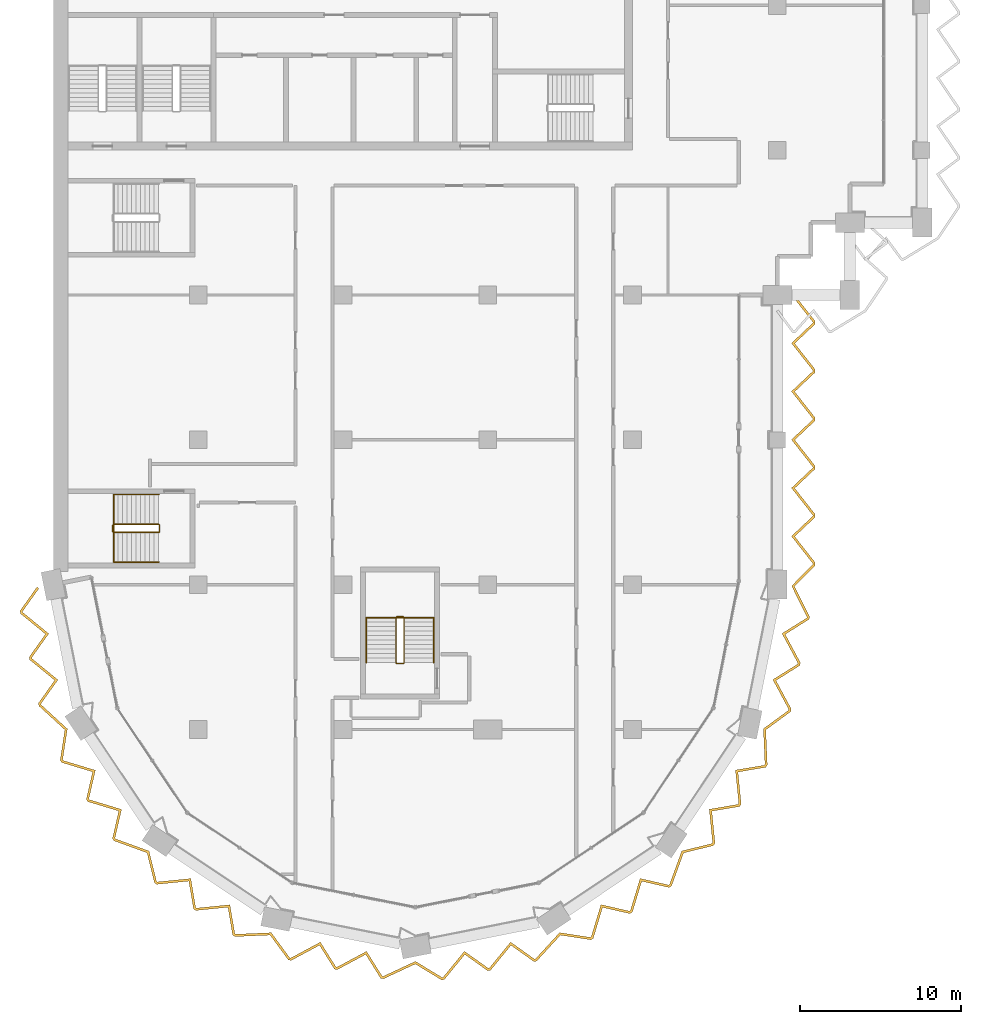
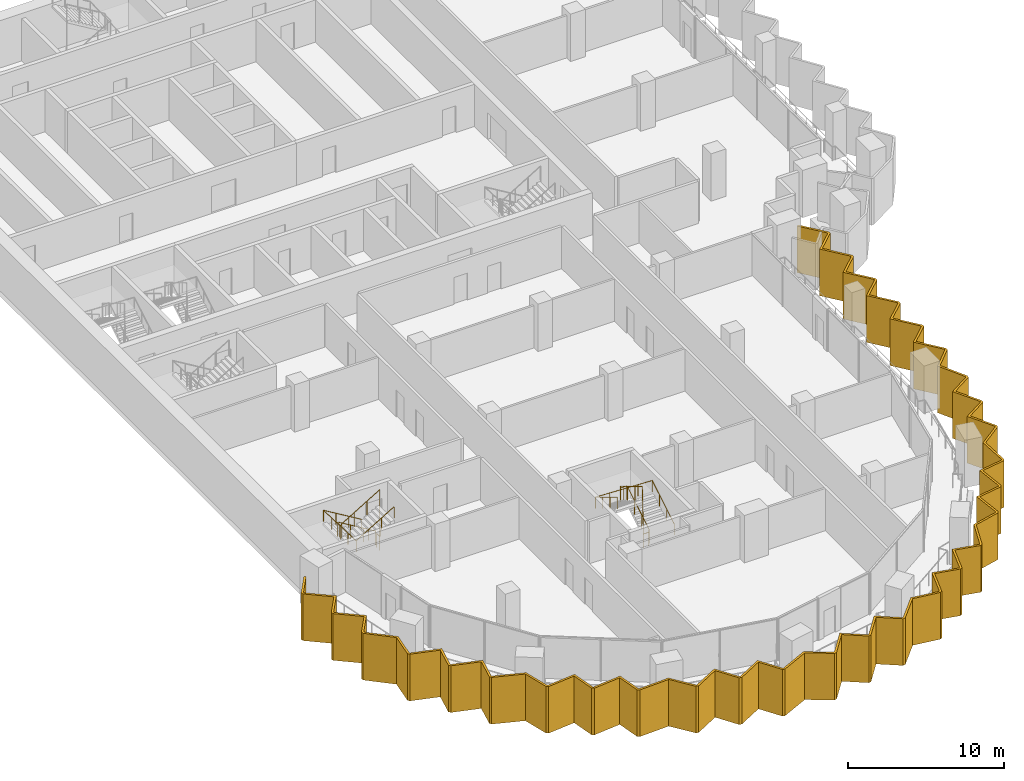
# One storey, part 14 of 17: 4 railings, 1 shading device.
"""IFC4 building model written with IfcOpenShell, lengths in metres."""

from ifc_helpers import new_model, si_unit, direction, frame, origin, origin_2d, place, context, subcontext, project, spatial, polyline, circle, outline, extrude, material, layer, layer_set, type_object, element, save


model = new_model("IFC4")

# Units and contexts
model_context = context("Model", 3, precision=1e-05, world=origin(), true_north=direction((0.0, 1.0)))
body_context = subcontext(model_context, "Body", "Model", "MODEL_VIEW")
ifc_project = project(units=[si_unit("LENGTHUNIT", "METRE"), si_unit("AREAUNIT", "SQUARE_METRE"), si_unit("VOLUMEUNIT", "CUBIC_METRE"), si_unit("PLANEANGLEUNIT", "RADIAN"), si_unit("MASSUNIT", "GRAM", prefix="KILO")], contexts=[model_context])

# Site, building, storey
site_placement = place(None, origin())
site = spatial("IfcSite", under=ifc_project, at=site_placement, CompositionType="ELEMENT")
building_placement = place(site_placement, origin())
building = spatial("IfcBuilding", under=site, at=building_placement, Name="Hunhe Ridgeline Campus", CompositionType="ELEMENT")
storey_placement = place(building_placement, frame((0.0, 0.0, 190.199951171875)))
storey = spatial("IfcBuildingStorey", under=building, at=storey_placement, Name="L48", CompositionType="ELEMENT", Elevation=190.199951171875)

# Shading device
ifc_material_1 = material(Name="Concrete C50", Category="concrete")
ifc_layer = layer(ifc_material_1, 0.14990234375)
ifc_layer_set = layer_set([ifc_layer], Name="Sawtooth concrete fin 150 Concrete C50")
shading_device_type = type_object("IfcShadingDeviceType", Name="Sawtooth concrete fin 150 Concrete C50", PredefinedType="USERDEFINED", material=ifc_layer_set)
shading_device_placement = place(storey_placement, frame((0.0, 0.0, -0.949951171875)))
element("IfcShadingDevice", 1, at=shading_device_placement, inside=storey, type_object=shading_device_type, Name="Concrete fin screen 1", ObjectType="FIN", PredefinedType="USERDEFINED", context=body_context, shape_type="SweptSolid", body=[
    extrude(outline(polyline([(-0.895263671875, 35.766357421875), (-1.017333984375, 35.853271484375), (-2.072021484375, 34.37060546875), (-2.036865234375, 34.19482421875), (-0.487060546875, 32.926025390625), (-1.5009765625, 31.50048828125), (-1.466064453125, 31.32470703125), (0.083740234375, 30.055908203125), (-0.93017578125, 28.63037109375), (-0.895751953125, 28.45703125), (0.714111328125, 26.98095703125), (0.423828125, 25.0888671875), (0.521484375, 24.9423828125), (2.43896484375, 24.36328125), (2.0478515625, 22.658203125), (2.1474609375, 22.50927734375), (4.06494140625, 21.93017578125), (3.673583984375, 20.22509765625), (3.771728515625, 20.078125), (5.823974609375, 19.330322265625), (6.27978515625, 17.47119140625), (6.426025390625, 17.373291015625), (8.419189453125, 17.572021484375), (8.710205078125, 15.84716796875), (8.859375, 15.74755859375), (10.8525390625, 15.9462890625), (11.1435546875, 14.221435546875), (11.29052734375, 14.123046875), (13.472412109375, 14.217529296875), (14.605224609375, 12.67431640625), (14.77783203125, 12.639892578125), (16.543212890625, 13.58642578125), (17.47216796875, 12.10400390625), (17.64794921875, 12.069091796875), (19.413330078125, 13.015380859375), (20.34228515625, 11.533203125), (20.515625, 11.49853515625), (22.495361328125, 12.4208984375), (24.132568359375, 11.4287109375), (24.30517578125, 11.463134765625), (25.573974609375, 13.012939453125), (26.99951171875, 11.9990234375), (27.17529296875, 12.033935546875), (28.444091796875, 13.583740234375), (29.86962890625, 12.56982421875), (30.04296875, 12.604248046875), (31.51904296875, 14.214111328125), (33.4111328125, 13.923828125), (33.5576171875, 14.021484375), (34.13671875, 15.93896484375), (35.841796875, 15.5478515625), (35.99072265625, 15.6474609375), (36.56982421875, 17.56494140625), (38.27490234375, 17.173583984375), (38.421875, 17.271728515625), (39.169677734375, 19.323974609375), (41.02880859375, 19.77978515625), (41.126708984375, 19.926025390625), (40.927978515625, 21.919189453125), (42.65283203125, 22.210205078125), (42.75244140625, 22.359375), (42.5537109375, 24.3525390625), (44.278564453125, 24.6435546875), (44.376953125, 24.79052734375), (44.282470703125, 26.972412109375), (45.82568359375, 28.105224609375), (45.860107421875, 28.27783203125), (44.91357421875, 30.043212890625), (46.39599609375, 30.97216796875), (46.430908203125, 31.14794921875), (45.484619140625, 32.913330078125), (46.966796875, 33.84228515625), (47.00146484375, 34.016845703125), (46.06591796875, 35.8896484375), (47.35009765625, 37.1953125), (47.35009765625, 37.3720703125), (46.076416015625, 38.992431640625), (47.35009765625, 40.19384765625), (47.35009765625, 40.3720703125), (46.076416015625, 41.992431640625), (47.35009765625, 43.19384765625), (47.35009765625, 43.3720703125), (46.076416015625, 44.992431640625), (47.35009765625, 46.19384765625), (47.35009765625, 46.3720703125), (46.076416015625, 47.992431640625), (47.35009765625, 49.19384765625), (47.35009765625, 49.3720703125), (46.076416015625, 50.992431640625), (47.35009765625, 52.19384765625), (47.35009765625, 52.3720703125), (46.033935546875, 54.04638671875), (45.916015625, 53.95361328125), (47.199951171875, 52.320068359375), (47.199951171875, 52.258544921875), (45.873779296875, 51.007568359375), (47.199951171875, 49.320068359375), (47.199951171875, 49.258544921875), (45.873779296875, 48.007568359375), (47.199951171875, 46.320068359375), (47.199951171875, 46.258544921875), (45.873779296875, 45.007568359375), (47.199951171875, 43.320068359375), (47.199951171875, 43.258544921875), (45.873779296875, 42.007568359375), (47.199951171875, 40.320068359375), (47.199951171875, 40.258544921875), (45.873779296875, 39.007568359375), (47.199951171875, 37.320068359375), (47.199951171875, 37.2568359375), (45.884033203125, 35.91845703125), (46.844482421875, 33.995849609375), (46.832275390625, 33.93505859375), (45.2861328125, 32.966064453125), (46.273193359375, 31.12451171875), (46.261474609375, 31.06494140625), (44.71533203125, 30.095947265625), (45.702392578125, 28.25439453125), (45.68994140625, 28.191650390625), (44.129150390625, 27.0458984375), (44.224853515625, 24.8330078125), (44.18994140625, 24.780517578125), (42.390625, 24.47705078125), (42.597900390625, 22.39794921875), (42.564208984375, 22.347412109375), (40.764892578125, 22.0439453125), (40.97216796875, 19.96484375), (40.9365234375, 19.91162109375), (39.05615234375, 19.450439453125), (38.2978515625, 17.369384765625), (38.245361328125, 17.334228515625), (36.466796875, 17.742431640625), (35.86279296875, 15.7421875), (35.812255859375, 15.70849609375), (34.03369140625, 16.11669921875), (33.429443359375, 14.116455078125), (33.37646484375, 14.080810546875), (31.462646484375, 14.37451171875), (29.965576171875, 12.741943359375), (29.90380859375, 12.7294921875), (28.416748046875, 13.787353515625), (27.09326171875, 12.170654296875), (27.03369140625, 12.15869140625), (25.546630859375, 13.21630859375), (24.22314453125, 11.599609375), (24.160400390625, 11.587158203125), (22.504638671875, 12.5908203125), (20.496826171875, 11.6552734375), (20.43505859375, 11.667724609375), (19.466064453125, 13.2138671875), (17.62451171875, 12.226806640625), (17.56494140625, 12.238525390625), (16.595947265625, 13.78466796875), (14.75439453125, 12.797607421875), (14.691650390625, 12.81005859375), (13.5458984375, 14.370849609375), (11.3330078125, 14.275146484375), (11.280517578125, 14.31005859375), (10.97705078125, 16.109375), (8.89794921875, 15.902099609375), (8.847412109375, 15.935791015625), (8.5439453125, 17.735107421875), (6.46484375, 17.52783203125), (6.41162109375, 17.5634765625), (5.950439453125, 19.44384765625), (3.869384765625, 20.2021484375), (3.834228515625, 20.254638671875), (4.242431640625, 22.033203125), (2.2421875, 22.63720703125), (2.20849609375, 22.687744140625), (2.61669921875, 24.46630859375), (0.616455078125, 25.070556640625), (0.580810546875, 25.12353515625), (0.87451171875, 27.037353515625), (-0.758056640625, 28.534423828125), (-0.7705078125, 28.59619140625), (0.287353515625, 30.083251953125), (-1.329345703125, 31.40673828125), (-1.34130859375, 31.46630859375), (-0.28369140625, 32.953369140625), (-1.900390625, 34.27685546875), (-1.912109375, 34.33642578125), (-0.895263671875, 35.766357421875)])), origin(), (0.0, 0.0, 1.0), 3.64990234375),
])

# Railings
ifc_material_2 = material(Name="Stainless steel balustrade", Category="steel")
railing_type_1 = type_object("IfcRailingType", Name="Stair guard 1100 stainless", PredefinedType="GUARDRAIL", material=ifc_material_2)
railing_1_placement = place(storey_placement, frame((21.800048828125, 31.14990234375, 0.168212890625)))
element("IfcRailing", 2, at=railing_1_placement, inside=storey, type_object=railing_type_1, Name="L48 stair W3 guard", PredefinedType="GUARDRAIL", context=body_context, shape_type="SweptSolid", body=[
    extrude(circle(Radius=0.02392578125, at=origin_2d()), frame((0.0, 0.0, 1.076171875), z_axis=(0.0, 0.857242210791, 0.514913383045), x_axis=(-1.0, 0.0, 0.0)), (0.0, 0.0, 1.0), 3.266357421875),
    extrude(circle(Radius=0.02392578125, at=origin_2d()), frame((0.0, 2.800048828125, 2.7578125), z_axis=(-0.707106781187, 0.707106781187, 0.0), x_axis=(-0.707106781187, -0.707106781187, 0.0)), (0.0, 0.0, 1.0), 0.07080078125),
    extrude(circle(Radius=0.02392578125, at=origin_2d()), frame((-0.050048828125, 2.85009765625, 2.7578125), z_axis=(-1.0, 0.0, 0.0), x_axis=(0.0, -1.0, 0.0)), (0.0, 0.0, 1.0), 0.39990234375),
    extrude(circle(Radius=0.02392578125, at=origin_2d()), frame((-0.449951171875, 2.85009765625, 2.7578125), z_axis=(-0.274243871929, -0.274243871929, 0.92172696468), x_axis=(0.707106781187, -0.707106781187, 0.0)), (0.0, 0.0, 1.0), 0.1826171875),
    extrude(circle(Radius=0.02392578125, at=origin_2d()), frame((-0.5, 2.800048828125, 2.92626953125), z_axis=(0.0, -0.857275202839, 0.514858452973), x_axis=(1.0, 0.0, 0.0)), (0.0, 0.0, 1.0), 3.26611328125),
    extrude(circle(Radius=0.02392578125, at=origin_2d()), frame((-0.5, 0.0, 4.60791015625), z_axis=(0.013524426427, -0.013458453615, -0.999817963389), x_axis=(0.705375805398, 0.708833529934, 0.0)), (0.0, 0.0, 1.0), 3.70068359375),
    extrude(circle(Radius=0.02392578125, at=origin_2d()), frame((-0.449951171875, -0.0498046875, 0.90771484375), z_axis=(1.0, 0.0, 0.0), x_axis=(0.0, 1.0, 0.0)), (0.0, 0.0, 1.0), 0.39990234375),
    extrude(circle(Radius=0.02099609375, at=origin_2d()), origin(), (0.0, 0.0, 1.0), 1.052001953125),
    extrude(circle(Radius=0.02099609375, at=origin_2d()), frame((0.0, 0.933349609375, 0.560546875)), (0.0, 0.0, 1.0), 1.052001953125),
    extrude(circle(Radius=0.02099609375, at=origin_2d()), frame((0.0, 1.86669921875, 1.121337890625)), (0.0, 0.0, 1.0), 1.052001953125),
    extrude(circle(Radius=0.02099609375, at=origin_2d()), frame((0.0, 2.800048828125, 1.681884765625)), (0.0, 0.0, 1.0), 1.052001953125),
    extrude(circle(Radius=0.02099609375, at=origin_2d()), frame((-0.050048828125, 2.85009765625, 1.681884765625)), (0.0, 0.0, 1.0), 1.052001953125),
    extrude(circle(Radius=0.02099609375, at=origin_2d()), frame((-0.449951171875, 2.85009765625, 1.681884765625)), (0.0, 0.0, 1.0), 1.052001953125),
    extrude(circle(Radius=0.02099609375, at=origin_2d()), frame((-0.5, 2.800048828125, 1.85009765625)), (0.0, 0.0, 1.0), 1.052001953125),
    extrude(circle(Radius=0.02099609375, at=origin_2d()), frame((-0.5, 1.86669921875, 2.41064453125)), (0.0, 0.0, 1.0), 1.052001953125),
    extrude(circle(Radius=0.02099609375, at=origin_2d()), frame((-0.5, 0.933349609375, 2.97119140625)), (0.0, 0.0, 1.0), 1.052001953125),
    extrude(circle(Radius=0.02099609375, at=origin_2d()), frame((-0.5, 0.0, 3.53173828125)), (0.0, 0.0, 1.0), 1.052001953125),
    extrude(circle(Radius=0.02099609375, at=origin_2d()), frame((-0.487548828125, -0.012451171875, 2.606689453125)), (0.0, 0.0, 1.0), 1.052001953125),
    extrude(circle(Radius=0.02099609375, at=origin_2d()), frame((-0.47509765625, -0.02490234375, 1.681640625)), (0.0, 0.0, 1.0), 1.052001953125),
    extrude(circle(Radius=0.02099609375, at=origin_2d()), frame((-0.46240234375, -0.037353515625, 0.7568359375)), (0.0, 0.0, 1.0), 1.052001953125),
    extrude(circle(Radius=0.02099609375, at=origin_2d()), frame((-0.449951171875, -0.0498046875, -0.168212890625)), (0.0, 0.0, 1.0), 1.052001953125),
    extrude(circle(Radius=0.02099609375, at=origin_2d()), frame((-0.050048828125, -0.0498046875, -0.168212890625)), (0.0, 0.0, 1.0), 1.052001953125),
])
railing_2_placement = place(storey_placement, frame((6.550048828125, 39.75, 0.168212890625)))
element("IfcRailing", 3, at=railing_2_placement, inside=storey, type_object=railing_type_1, Name="L48 stair W1 guard", PredefinedType="GUARDRAIL", context=body_context, shape_type="SweptSolid", body=[
    extrude(circle(Radius=0.02392578125, at=origin_2d()), frame((0.0, 0.0, 1.076171875), z_axis=(-0.857242210791, 0.0, 0.514913383045), x_axis=(0.0, -1.0, 0.0)), (0.0, 0.0, 1.0), 3.266357421875),
    extrude(circle(Radius=0.02392578125, at=origin_2d()), frame((-2.800048828125, 0.0, 2.7578125), z_axis=(-0.707106781187, -0.707106781187, 0.0), x_axis=(0.707106781187, -0.707106781187, 0.0)), (0.0, 0.0, 1.0), 0.07080078125),
    extrude(circle(Radius=0.02392578125, at=origin_2d()), frame((-2.85009765625, -0.050048828125, 2.7578125), z_axis=(0.0, -1.0, 0.0), x_axis=(1.0, 0.0, 0.0)), (0.0, 0.0, 1.0), 0.39990234375),
    extrude(circle(Radius=0.02392578125, at=origin_2d()), frame((-2.85009765625, -0.449951171875, 2.7578125), z_axis=(0.274243871929, -0.274243871929, 0.92172696468), x_axis=(0.707106781187, 0.707106781187, 0.0)), (0.0, 0.0, 1.0), 0.1826171875),
    extrude(circle(Radius=0.02392578125, at=origin_2d()), frame((-2.800048828125, -0.5, 2.92626953125), z_axis=(0.857275202839, 0.0, 0.514858452973), x_axis=(0.0, 1.0, 0.0)), (0.0, 0.0, 1.0), 3.26611328125),
    extrude(circle(Radius=0.02392578125, at=origin_2d()), frame((0.0, -0.5, 4.60791015625), z_axis=(0.013524414389, 0.013524414389, -0.999817073484), x_axis=(-0.707106781187, 0.707106781187, 0.0)), (0.0, 0.0, 1.0), 3.70068359375),
    extrude(circle(Radius=0.02392578125, at=origin_2d()), frame((0.050048828125, -0.449951171875, 0.90771484375), z_axis=(0.0, 1.0, 0.0), x_axis=(-1.0, 0.0, 0.0)), (0.0, 0.0, 1.0), 0.39990234375),
    extrude(circle(Radius=0.02099609375, at=origin_2d()), origin(), (0.0, 0.0, 1.0), 1.052001953125),
    extrude(circle(Radius=0.02099609375, at=origin_2d()), frame((-0.933349609375, 0.0, 0.560546875)), (0.0, 0.0, 1.0), 1.052001953125),
    extrude(circle(Radius=0.02099609375, at=origin_2d()), frame((-1.86669921875, 0.0, 1.121337890625)), (0.0, 0.0, 1.0), 1.052001953125),
    extrude(circle(Radius=0.02099609375, at=origin_2d()), frame((-2.800048828125, 0.0, 1.681884765625)), (0.0, 0.0, 1.0), 1.052001953125),
    extrude(circle(Radius=0.02099609375, at=origin_2d()), frame((-2.85009765625, -0.050048828125, 1.681884765625)), (0.0, 0.0, 1.0), 1.052001953125),
    extrude(circle(Radius=0.02099609375, at=origin_2d()), frame((-2.85009765625, -0.449951171875, 1.681884765625)), (0.0, 0.0, 1.0), 1.052001953125),
    extrude(circle(Radius=0.02099609375, at=origin_2d()), frame((-2.800048828125, -0.5, 1.85009765625)), (0.0, 0.0, 1.0), 1.052001953125),
    extrude(circle(Radius=0.02099609375, at=origin_2d()), frame((-1.86669921875, -0.5, 2.41064453125)), (0.0, 0.0, 1.0), 1.052001953125),
    extrude(circle(Radius=0.02099609375, at=origin_2d()), frame((-0.933349609375, -0.5, 2.97119140625)), (0.0, 0.0, 1.0), 1.052001953125),
    extrude(circle(Radius=0.02099609375, at=origin_2d()), frame((0.0, -0.5, 3.53173828125)), (0.0, 0.0, 1.0), 1.052001953125),
    extrude(circle(Radius=0.02099609375, at=origin_2d()), frame((0.012451171875, -0.487548828125, 2.606689453125)), (0.0, 0.0, 1.0), 1.052001953125),
    extrude(circle(Radius=0.02099609375, at=origin_2d()), frame((0.02490234375, -0.47509765625, 1.681640625)), (0.0, 0.0, 1.0), 1.052001953125),
    extrude(circle(Radius=0.02099609375, at=origin_2d()), frame((0.03759765625, -0.46240234375, 0.7568359375)), (0.0, 0.0, 1.0), 1.052001953125),
    extrude(circle(Radius=0.02099609375, at=origin_2d()), frame((0.050048828125, -0.449951171875, -0.168212890625)), (0.0, 0.0, 1.0), 1.052001953125),
    extrude(circle(Radius=0.02099609375, at=origin_2d()), frame((0.050048828125, -0.050048828125, -0.168212890625)), (0.0, 0.0, 1.0), 1.052001953125),
])
ifc_material_3 = material(Name="Stainless steel handrail", Category="steel")
railing_type_2 = type_object("IfcRailingType", Name="Stair handrail 900 stainless", PredefinedType="HANDRAIL", material=ifc_material_3)
railing_3_placement = place(storey_placement, frame((23.64990234375, 31.14990234375, 0.168212890625)))
element("IfcRailing", 4, at=railing_3_placement, inside=storey, type_object=railing_type_2, Name="L48 stair W3 handrail", PredefinedType="HANDRAIL", context=body_context, shape_type="SweptSolid", body=[
    extrude(circle(Radius=0.02392578125, at=origin_2d()), frame((0.0, 0.0, 0.8759765625), z_axis=(0.0, 0.857242210791, 0.514913383045), x_axis=(-1.0, 0.0, 0.0)), (0.0, 0.0, 1.0), 3.266357421875),
    extrude(circle(Radius=0.02392578125, at=origin_2d()), frame((0.0, 2.800048828125, 2.5576171875), z_axis=(-0.999198916169, 0.0, 0.040019069537), x_axis=(0.0, -1.0, 0.0)), (0.0, 0.0, 1.0), 4.203369140625),
    extrude(circle(Radius=0.02392578125, at=origin_2d()), frame((-4.199951171875, 2.800048828125, 2.72607421875), z_axis=(0.0, -0.857275202839, 0.514858452973), x_axis=(1.0, 0.0, 0.0)), (0.0, 0.0, 1.0), 3.26611328125),
    extrude(circle(Radius=0.02099609375, at=origin_2d()), origin(), (0.0, 0.0, 1.0), 0.851806640625),
    extrude(circle(Radius=0.02099609375, at=origin_2d()), frame((0.0, 0.933349609375, 0.560546875)), (0.0, 0.0, 1.0), 0.851806640625),
    extrude(circle(Radius=0.02099609375, at=origin_2d()), frame((0.0, 1.86669921875, 1.121337890625)), (0.0, 0.0, 1.0), 0.851806640625),
    extrude(circle(Radius=0.02099609375, at=origin_2d()), frame((0.0, 2.800048828125, 1.681884765625)), (0.0, 0.0, 1.0), 0.851806640625),
    extrude(circle(Radius=0.02099609375, at=origin_2d()), frame((-1.050048828125, 2.800048828125, 1.723876953125)), (0.0, 0.0, 1.0), 0.851806640625),
    extrude(circle(Radius=0.02099609375, at=origin_2d()), frame((-2.10009765625, 2.800048828125, 1.76611328125)), (0.0, 0.0, 1.0), 0.851806640625),
    extrude(circle(Radius=0.02099609375, at=origin_2d()), frame((-3.14990234375, 2.800048828125, 1.80810546875)), (0.0, 0.0, 1.0), 0.851806640625),
    extrude(circle(Radius=0.02099609375, at=origin_2d()), frame((-4.199951171875, 2.800048828125, 1.85009765625)), (0.0, 0.0, 1.0), 0.851806640625),
    extrude(circle(Radius=0.02099609375, at=origin_2d()), frame((-4.199951171875, 1.86669921875, 2.41064453125)), (0.0, 0.0, 1.0), 0.851806640625),
    extrude(circle(Radius=0.02099609375, at=origin_2d()), frame((-4.199951171875, 0.933349609375, 2.97119140625)), (0.0, 0.0, 1.0), 0.851806640625),
    extrude(circle(Radius=0.02099609375, at=origin_2d()), frame((-4.199951171875, 0.0, 3.53173828125)), (0.0, 0.0, 1.0), 0.851806640625),
])
railing_4_placement = place(storey_placement, frame((6.550048828125, 41.60009765625, 0.168212890625)))
element("IfcRailing", 5, at=railing_4_placement, inside=storey, type_object=railing_type_2, Name="L48 stair W1 handrail", PredefinedType="HANDRAIL", context=body_context, shape_type="SweptSolid", body=[
    extrude(circle(Radius=0.02392578125, at=origin_2d()), frame((0.0, 0.0, 0.8759765625), z_axis=(-0.857242210791, 0.0, 0.514913383045), x_axis=(0.0, -1.0, 0.0)), (0.0, 0.0, 1.0), 3.266357421875),
    extrude(circle(Radius=0.02392578125, at=origin_2d()), frame((-2.800048828125, 0.0, 2.5576171875), z_axis=(0.0, -0.999199009182, 0.040016747113), x_axis=(1.0, 0.0, 0.0)), (0.0, 0.0, 1.0), 4.20361328125),
    extrude(circle(Radius=0.02392578125, at=origin_2d()), frame((-2.800048828125, -4.2001953125, 2.72607421875), z_axis=(0.857275202839, 0.0, 0.514858452973), x_axis=(0.0, 1.0, 0.0)), (0.0, 0.0, 1.0), 3.26611328125),
    extrude(circle(Radius=0.02099609375, at=origin_2d()), origin(), (0.0, 0.0, 1.0), 0.851806640625),
    extrude(circle(Radius=0.02099609375, at=origin_2d()), frame((-0.933349609375, 0.0, 0.560546875)), (0.0, 0.0, 1.0), 0.851806640625),
    extrude(circle(Radius=0.02099609375, at=origin_2d()), frame((-1.86669921875, 0.0, 1.121337890625)), (0.0, 0.0, 1.0), 0.851806640625),
    extrude(circle(Radius=0.02099609375, at=origin_2d()), frame((-2.800048828125, 0.0, 1.681884765625)), (0.0, 0.0, 1.0), 0.851806640625),
    extrude(circle(Radius=0.02099609375, at=origin_2d()), frame((-2.800048828125, -1.050048828125, 1.723876953125)), (0.0, 0.0, 1.0), 0.851806640625),
    extrude(circle(Radius=0.02099609375, at=origin_2d()), frame((-2.800048828125, -2.10009765625, 1.76611328125)), (0.0, 0.0, 1.0), 0.851806640625),
    extrude(circle(Radius=0.02099609375, at=origin_2d()), frame((-2.800048828125, -3.150146484375, 1.80810546875)), (0.0, 0.0, 1.0), 0.851806640625),
    extrude(circle(Radius=0.02099609375, at=origin_2d()), frame((-2.800048828125, -4.2001953125, 1.85009765625)), (0.0, 0.0, 1.0), 0.851806640625),
    extrude(circle(Radius=0.02099609375, at=origin_2d()), frame((-1.86669921875, -4.2001953125, 2.41064453125)), (0.0, 0.0, 1.0), 0.851806640625),
    extrude(circle(Radius=0.02099609375, at=origin_2d()), frame((-0.933349609375, -4.2001953125, 2.97119140625)), (0.0, 0.0, 1.0), 0.851806640625),
    extrude(circle(Radius=0.02099609375, at=origin_2d()), frame((0.0, -4.2001953125, 3.53173828125)), (0.0, 0.0, 1.0), 0.851806640625),
])

save(model, "model.ifc")
